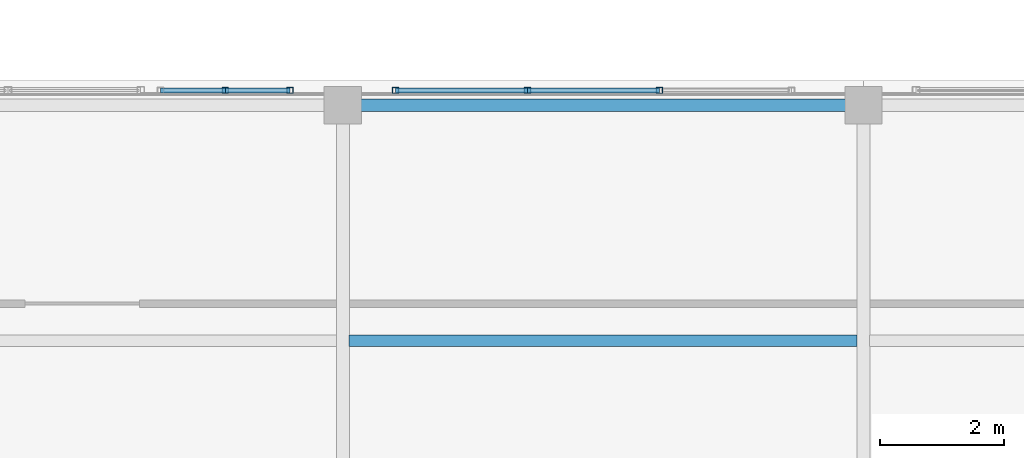
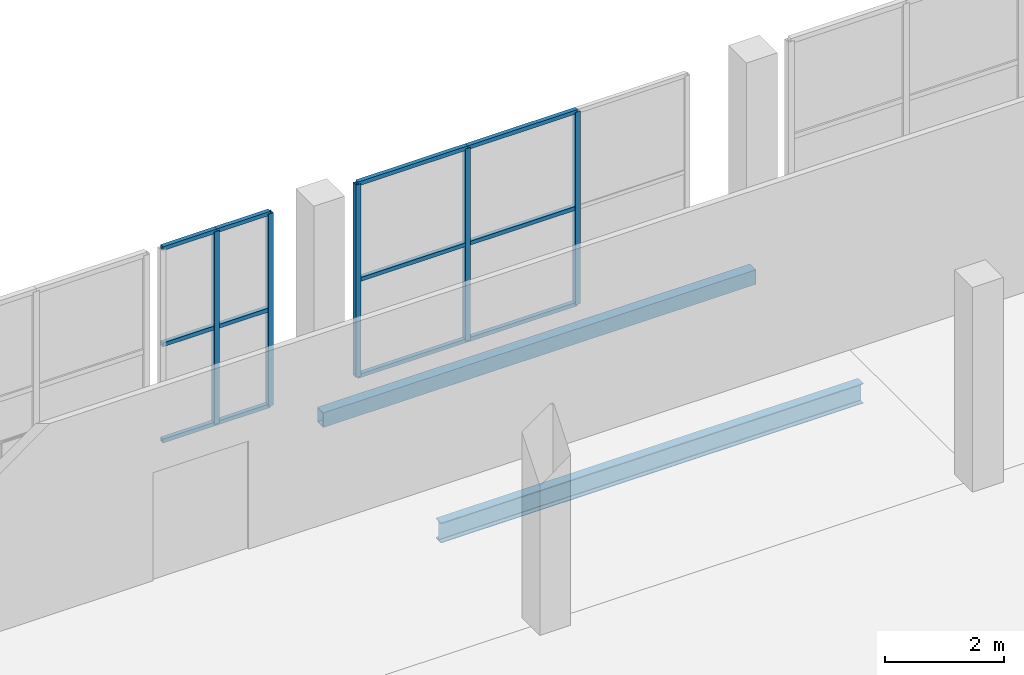
# One storey, part 38 of 217: 17 members, 2 beams, 2 elements without a shape of their own.
"""IFC4 building model written with IfcOpenShell, lengths in metres."""

from ifc_helpers import new_model, si_unit, direction, frame, origin, origin_2d, place, context, subcontext, project, spatial, hollow_rectangle, i_section, extrude, material, material_profile, profile_set, type_object, element, aggregate, save


model = new_model("IFC4")

# Units and contexts
model_context = context("Model", 3, precision=1e-05, world=origin(), true_north=direction((0.0, 1.0)))
body_context = subcontext(model_context, "Body", "Model", "MODEL_VIEW")
ifc_project = project(units=[si_unit("LENGTHUNIT", "METRE"), si_unit("AREAUNIT", "SQUARE_METRE"), si_unit("VOLUMEUNIT", "CUBIC_METRE"), si_unit("PLANEANGLEUNIT", "RADIAN"), si_unit("MASSUNIT", "GRAM", prefix="KILO")], contexts=[model_context])

# Site, building, storey
site_placement = place(None, origin())
site = spatial("IfcSite", under=ifc_project, at=site_placement, CompositionType="ELEMENT")
building_placement = place(site_placement, origin())
building = spatial("IfcBuilding", under=site, at=building_placement, Name="Zuvorla Pavilion Media Centre", CompositionType="ELEMENT")
storey_placement = place(building_placement, frame((0.0, 0.0, 9.60009765625)))
storey = spatial("IfcBuildingStorey", under=building, at=storey_placement, Name="L02", CompositionType="ELEMENT", Elevation=9.60009765625)

# Beams
ifc_material_1 = material(Name="Steel S355", Category="steel")
ifc_material_profile_1 = material_profile(ifc_material_1, hollow_rectangle(XDim=0.199951171875, YDim=0.300048828125, WallThickness=0.012451171875, at=origin_2d()), Name="RHS 300x200x12.5")
ifc_profile_set_1 = profile_set([ifc_material_profile_1], Name="Steel S355")
beam_type_1 = type_object("IfcBeamType", Name="BM-SP-RHS300", PredefinedType="SPANDREL", material=ifc_profile_set_1)
beam_1_placement = place(storey_placement, frame((83.60009765625, 51.60009765625, -0.418212890625), z_axis=(1.0, 0.0, 0.0), x_axis=(0.0, 1.0, 0.0)))
element("IfcBeam", 1, at=beam_1_placement, inside=storey, type_object=beam_type_1, Name="L02 spandrel SP01 843", PredefinedType="SPANDREL", context=body_context, shape_type="SweptSolid", body=[
    extrude(hollow_rectangle(XDim=0.199951171875, YDim=0.300048828125, WallThickness=0.012451171875, at=origin_2d()), origin(), (0.0, 0.0, 1.0), 8.39990234375),
])
ifc_material_profile_2 = material_profile(ifc_material_1, i_section(OverallWidth=0.1787109375, OverallDepth=0.409423828125, WebThickness=0.0087890625, FlangeThickness=0.014404296875, FilletRadius=0.01025390625, at=origin_2d()), Name="UB 406x178x67")
ifc_profile_set_2 = profile_set([ifc_material_profile_2], Name="Steel S355")
beam_type_2 = type_object("IfcBeamType", Name="BM-UB406", PredefinedType="JOIST", material=ifc_profile_set_2)
beam_2_placement = place(storey_placement, frame((83.699951171875, 47.800048828125, -0.472900390625), z_axis=(1.0, 0.0, 0.0), x_axis=(0.0, 1.0, 0.0)))
element("IfcBeam", 2, at=beam_2_placement, inside=storey, type_object=beam_type_2, Name="L02 joist J02 1018", PredefinedType="JOIST", context=body_context, shape_type="SweptSolid", body=[
    extrude(i_section(OverallWidth=0.1787109375, OverallDepth=0.409423828125, WebThickness=0.0087890625, FlangeThickness=0.014404296875, FilletRadius=0.01025390625, at=origin_2d()), origin(), (0.0, 0.0, 1.0), 8.199951171875),
])

# Curtain wall, members
ifc_material_2 = material(Name="Unitised anodised aluminium and solar glass curtain wall", Category="aluminium")
curtain_wall_type_1 = type_object("IfcCurtainWallType", Name="CW-SYS-44", PredefinedType="USERDEFINED", material=ifc_material_2)
curtain_wall_1_placement = place(storey_placement, origin())
curtain_wall_1 = element("IfcCurtainWall", 3, at=curtain_wall_1_placement, inside=storey, type_object=curtain_wall_type_1, Name="L02 curtain wall CW44 65", ObjectType="CURTAIN WALL", PredefinedType="USERDEFINED")
ifc_material_3 = material(Name="Anodised aluminium 6063-T6", Category="aluminium")
ifc_material_profile_3 = material_profile(ifc_material_3, hollow_rectangle(XDim=0.10009765625, YDim=0.10009765625, WallThickness=0.00439453125, at=origin_2d()), Name="ALU MULL 100x100")
ifc_profile_set_3 = profile_set([ifc_material_profile_3], Name="Anodised aluminium 6063-T6")
member_type_1 = type_object("IfcMemberType", Name="CW-MULL-100", PredefinedType="MULLION", material=ifc_profile_set_3)
member_1_placement = place(storey_placement, frame((81.704833984375, 51.840087890625, 0.0), z_axis=(0.0, 0.0, 1.0), x_axis=(1.0, 0.0, 0.0)))
member_1 = element("IfcMember", 4, at=member_1_placement, type_object=member_type_1, Name="CW44 mullion 2", PredefinedType="MULLION", context=body_context, shape_type="SweptSolid", body=[
    extrude(hollow_rectangle(XDim=0.10009765625, YDim=0.10009765625, WallThickness=0.00439453125, at=origin_2d()), origin(), (0.0, 0.0, 1.0), 3.949951171875),
])
member_2_placement = place(storey_placement, frame((82.749755859375, 51.840087890625, 0.0), z_axis=(0.0, 0.0, 1.0), x_axis=(1.0, 0.0, 0.0)))
member_2 = element("IfcMember", 5, at=member_2_placement, type_object=member_type_1, Name="CW44 mullion 3", PredefinedType="MULLION", context=body_context, shape_type="SweptSolid", body=[
    extrude(hollow_rectangle(XDim=0.10009765625, YDim=0.10009765625, WallThickness=0.00439453125, at=origin_2d()), origin(), (0.0, 0.0, 1.0), 3.949951171875),
])

curtain_wall_type_2 = type_object("IfcCurtainWallType", Name="CW-SYS-45", PredefinedType="USERDEFINED", material=ifc_material_2)
curtain_wall_2_placement = place(storey_placement, origin())
curtain_wall_2 = element("IfcCurtainWall", 6, at=curtain_wall_2_placement, inside=storey, type_object=curtain_wall_type_2, Name="L02 curtain wall CW45 66", ObjectType="CURTAIN WALL", PredefinedType="USERDEFINED")
member_3_placement = place(storey_placement, frame((84.4501953125, 51.840087890625, 0.0), z_axis=(0.0, 0.0, 1.0), x_axis=(1.0, 0.0, 0.0)))
member_3 = element("IfcMember", 7, at=member_3_placement, type_object=member_type_1, Name="CW45 mullion 1", PredefinedType="MULLION", context=body_context, shape_type="SweptSolid", body=[
    extrude(hollow_rectangle(XDim=0.10009765625, YDim=0.10009765625, WallThickness=0.00439453125, at=origin_2d()), origin(), (0.0, 0.0, 1.0), 3.949951171875),
])
member_4_placement = place(storey_placement, frame((86.580078125, 51.840087890625, 0.0), z_axis=(0.0, 0.0, 1.0), x_axis=(1.0, 0.0, 0.0)))
member_4 = element("IfcMember", 8, at=member_4_placement, type_object=member_type_1, Name="CW45 mullion 2", PredefinedType="MULLION", context=body_context, shape_type="SweptSolid", body=[
    extrude(hollow_rectangle(XDim=0.10009765625, YDim=0.10009765625, WallThickness=0.00439453125, at=origin_2d()), origin(), (0.0, 0.0, 1.0), 3.949951171875),
])
member_5_placement = place(storey_placement, frame((88.710205078125, 51.840087890625, 0.0), z_axis=(0.0, 0.0, 1.0), x_axis=(1.0, 0.0, 0.0)))
member_5 = element("IfcMember", 9, at=member_5_placement, type_object=member_type_1, Name="CW45 mullion 3", PredefinedType="MULLION", context=body_context, shape_type="SweptSolid", body=[
    extrude(hollow_rectangle(XDim=0.10009765625, YDim=0.10009765625, WallThickness=0.00439453125, at=origin_2d()), origin(), (0.0, 0.0, 1.0), 3.949951171875),
])

# Member
ifc_material_profile_4 = material_profile(ifc_material_3, hollow_rectangle(XDim=0.080078125, YDim=0.080078125, WallThickness=0.00390625, at=origin_2d()), Name="ALU TRAN 80x80")
ifc_profile_set_4 = profile_set([ifc_material_profile_4], Name="Anodised aluminium 6063-T6")
member_type_2 = type_object("IfcMemberType", Name="CW-TRAN-80", PredefinedType="USERDEFINED", material=ifc_profile_set_4)
member_6_placement = place(storey_placement, frame((80.659912109375, 51.840087890625, 0.0), z_axis=(1.0, 0.0, 0.0), x_axis=(0.0, 1.0, 0.0)))
member_6 = element("IfcMember", 10, at=member_6_placement, type_object=member_type_2, Name="CW44 transom 1.1", ObjectType="TRANSOM", PredefinedType="USERDEFINED", context=body_context, shape_type="SweptSolid", body=[
    extrude(hollow_rectangle(XDim=0.080078125, YDim=0.080078125, WallThickness=0.00390625, at=origin_2d()), origin(), (0.0, 0.0, 1.0), 1.044921875),
])

member_7_placement = place(storey_placement, frame((80.659912109375, 51.840087890625, 1.974853515625), z_axis=(1.0, 0.0, 0.0), x_axis=(0.0, 1.0, 0.0)))
member_7 = element("IfcMember", 11, at=member_7_placement, type_object=member_type_2, Name="CW44 transom 1.2", ObjectType="TRANSOM", PredefinedType="USERDEFINED", context=body_context, shape_type="SweptSolid", body=[
    extrude(hollow_rectangle(XDim=0.080078125, YDim=0.080078125, WallThickness=0.00390625, at=origin_2d()), origin(), (0.0, 0.0, 1.0), 1.044921875),
])

member_8_placement = place(storey_placement, frame((80.659912109375, 51.840087890625, 3.949951171875), z_axis=(1.0, 0.0, 0.0), x_axis=(0.0, 1.0, 0.0)))
member_8 = element("IfcMember", 12, at=member_8_placement, type_object=member_type_2, Name="CW44 transom 1.3", ObjectType="TRANSOM", PredefinedType="USERDEFINED", context=body_context, shape_type="SweptSolid", body=[
    extrude(hollow_rectangle(XDim=0.080078125, YDim=0.080078125, WallThickness=0.00390625, at=origin_2d()), origin(), (0.0, 0.0, 1.0), 1.044921875),
])

member_9_placement = place(storey_placement, frame((81.704833984375, 51.840087890625, 0.0), z_axis=(1.0, 0.0, 0.0), x_axis=(0.0, 1.0, 0.0)))
member_9 = element("IfcMember", 13, at=member_9_placement, type_object=member_type_2, Name="CW44 transom 2.1", ObjectType="TRANSOM", PredefinedType="USERDEFINED", context=body_context, shape_type="SweptSolid", body=[
    extrude(hollow_rectangle(XDim=0.080078125, YDim=0.080078125, WallThickness=0.00390625, at=origin_2d()), origin(), (0.0, 0.0, 1.0), 1.044921875),
])

member_10_placement = place(storey_placement, frame((81.704833984375, 51.840087890625, 1.974853515625), z_axis=(1.0, 0.0, 0.0), x_axis=(0.0, 1.0, 0.0)))
member_10 = element("IfcMember", 14, at=member_10_placement, type_object=member_type_2, Name="CW44 transom 2.2", ObjectType="TRANSOM", PredefinedType="USERDEFINED", context=body_context, shape_type="SweptSolid", body=[
    extrude(hollow_rectangle(XDim=0.080078125, YDim=0.080078125, WallThickness=0.00390625, at=origin_2d()), origin(), (0.0, 0.0, 1.0), 1.044921875),
])

member_11_placement = place(storey_placement, frame((81.704833984375, 51.840087890625, 3.949951171875), z_axis=(1.0, 0.0, 0.0), x_axis=(0.0, 1.0, 0.0)))
member_11 = element("IfcMember", 15, at=member_11_placement, type_object=member_type_2, Name="CW44 transom 2.3", ObjectType="TRANSOM", PredefinedType="USERDEFINED", context=body_context, shape_type="SweptSolid", body=[
    extrude(hollow_rectangle(XDim=0.080078125, YDim=0.080078125, WallThickness=0.00390625, at=origin_2d()), origin(), (0.0, 0.0, 1.0), 1.044921875),
])

aggregate(curtain_wall_1, [member_1, member_2, member_6, member_7, member_8, member_9, member_10, member_11])

member_12_placement = place(storey_placement, frame((84.4501953125, 51.840087890625, 0.0), z_axis=(1.0, 0.0, 0.0), x_axis=(0.0, 1.0, 0.0)))
member_12 = element("IfcMember", 16, at=member_12_placement, type_object=member_type_2, Name="CW45 transom 1.1", ObjectType="TRANSOM", PredefinedType="USERDEFINED", context=body_context, shape_type="SweptSolid", body=[
    extrude(hollow_rectangle(XDim=0.080078125, YDim=0.080078125, WallThickness=0.00390625, at=origin_2d()), origin(), (0.0, 0.0, 1.0), 2.1298828125),
])

member_13_placement = place(storey_placement, frame((84.4501953125, 51.840087890625, 1.974853515625), z_axis=(1.0, 0.0, 0.0), x_axis=(0.0, 1.0, 0.0)))
member_13 = element("IfcMember", 17, at=member_13_placement, type_object=member_type_2, Name="CW45 transom 1.2", ObjectType="TRANSOM", PredefinedType="USERDEFINED", context=body_context, shape_type="SweptSolid", body=[
    extrude(hollow_rectangle(XDim=0.080078125, YDim=0.080078125, WallThickness=0.00390625, at=origin_2d()), origin(), (0.0, 0.0, 1.0), 2.1298828125),
])

member_14_placement = place(storey_placement, frame((84.4501953125, 51.840087890625, 3.949951171875), z_axis=(1.0, 0.0, 0.0), x_axis=(0.0, 1.0, 0.0)))
member_14 = element("IfcMember", 18, at=member_14_placement, type_object=member_type_2, Name="CW45 transom 1.3", ObjectType="TRANSOM", PredefinedType="USERDEFINED", context=body_context, shape_type="SweptSolid", body=[
    extrude(hollow_rectangle(XDim=0.080078125, YDim=0.080078125, WallThickness=0.00390625, at=origin_2d()), origin(), (0.0, 0.0, 1.0), 2.1298828125),
])

member_15_placement = place(storey_placement, frame((86.580078125, 51.840087890625, 0.0), z_axis=(1.0, 0.0, 0.0), x_axis=(0.0, 1.0, 0.0)))
member_15 = element("IfcMember", 19, at=member_15_placement, type_object=member_type_2, Name="CW45 transom 2.1", ObjectType="TRANSOM", PredefinedType="USERDEFINED", context=body_context, shape_type="SweptSolid", body=[
    extrude(hollow_rectangle(XDim=0.080078125, YDim=0.080078125, WallThickness=0.00390625, at=origin_2d()), origin(), (0.0, 0.0, 1.0), 2.130126953125),
])

member_16_placement = place(storey_placement, frame((86.580078125, 51.840087890625, 1.974853515625), z_axis=(1.0, 0.0, 0.0), x_axis=(0.0, 1.0, 0.0)))
member_16 = element("IfcMember", 20, at=member_16_placement, type_object=member_type_2, Name="CW45 transom 2.2", ObjectType="TRANSOM", PredefinedType="USERDEFINED", context=body_context, shape_type="SweptSolid", body=[
    extrude(hollow_rectangle(XDim=0.080078125, YDim=0.080078125, WallThickness=0.00390625, at=origin_2d()), origin(), (0.0, 0.0, 1.0), 2.130126953125),
])

member_17_placement = place(storey_placement, frame((86.580078125, 51.840087890625, 3.949951171875), z_axis=(1.0, 0.0, 0.0), x_axis=(0.0, 1.0, 0.0)))
member_17 = element("IfcMember", 21, at=member_17_placement, type_object=member_type_2, Name="CW45 transom 2.3", ObjectType="TRANSOM", PredefinedType="USERDEFINED", context=body_context, shape_type="SweptSolid", body=[
    extrude(hollow_rectangle(XDim=0.080078125, YDim=0.080078125, WallThickness=0.00390625, at=origin_2d()), origin(), (0.0, 0.0, 1.0), 2.130126953125),
])

aggregate(curtain_wall_2, [member_3, member_4, member_5, member_12, member_13, member_14, member_15, member_16, member_17])

save(model, "model.ifc")
